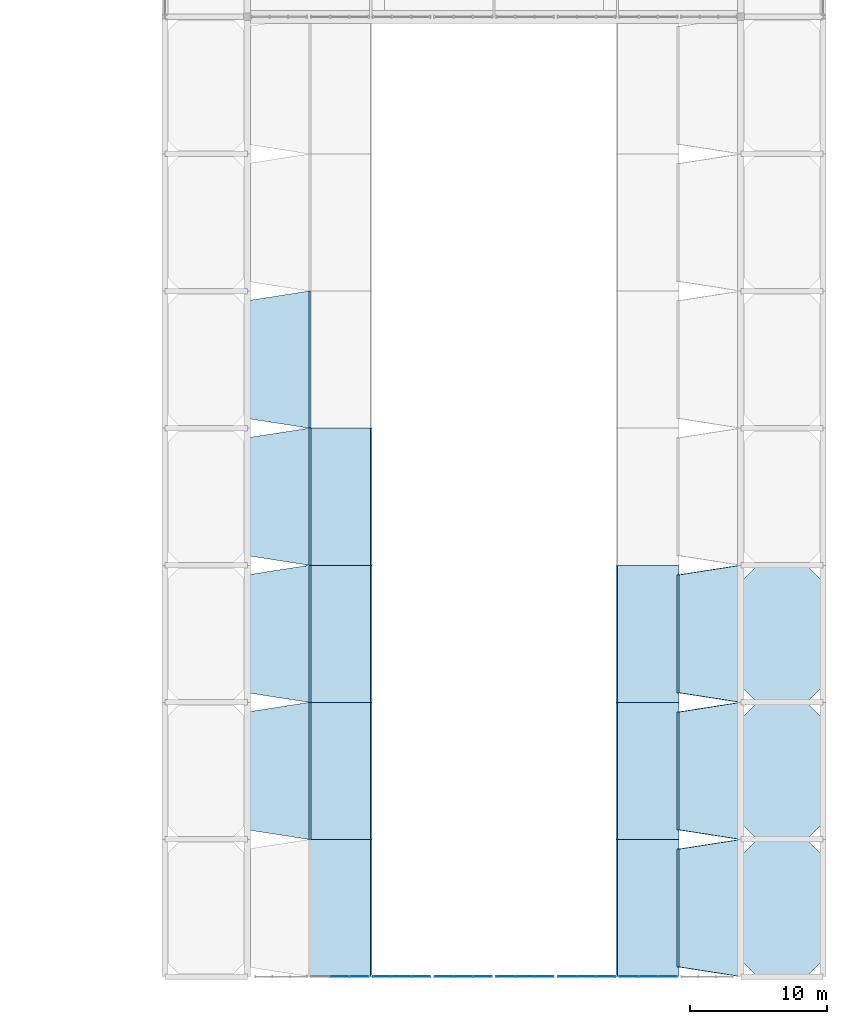
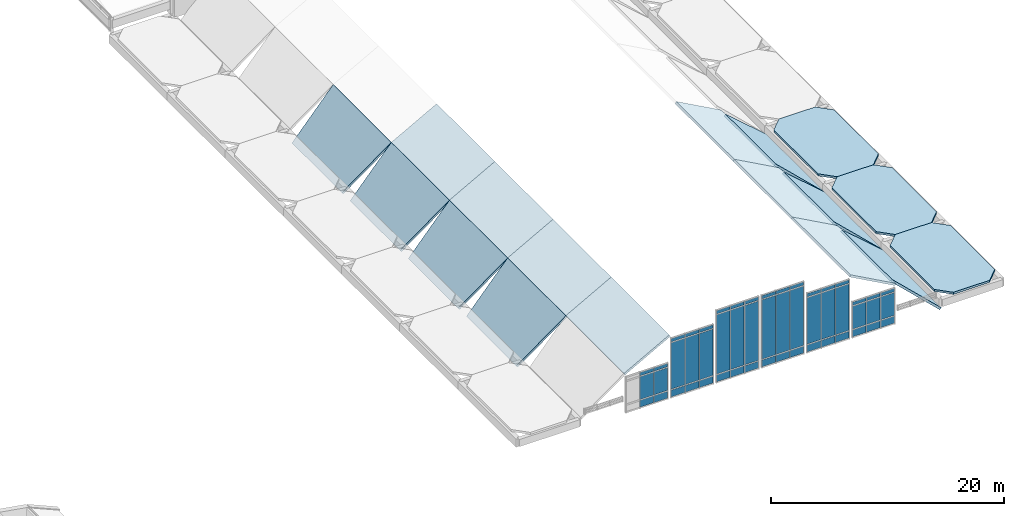
# One storey, part 71 of 82: 51 plates, 17 slabs, 6 elements without a shape of their own.
"""IFC4 building model written with IfcOpenShell, lengths in metres."""

from ifc_helpers import new_model, si_unit, direction, frame, origin, origin_2d, place, context, subcontext, project, spatial, polyline, rectangle, outline, extrude, material, layer, layer_set, type_object, element, aggregate, save


model = new_model("IFC4")

# Units and contexts
model_context = context("Model", 3, precision=1e-05, world=origin(), true_north=direction((0.0, 1.0)))
body_context = subcontext(model_context, "Body", "Model", "MODEL_VIEW")
ifc_project = project(units=[si_unit("LENGTHUNIT", "METRE"), si_unit("AREAUNIT", "SQUARE_METRE"), si_unit("VOLUMEUNIT", "CUBIC_METRE"), si_unit("PLANEANGLEUNIT", "RADIAN"), si_unit("MASSUNIT", "GRAM", prefix="KILO")], contexts=[model_context])

# Site, building, storey
site_placement = place(None, origin())
site = spatial("IfcSite", under=ifc_project, at=site_placement, CompositionType="ELEMENT")
building_placement = place(site_placement, origin())
building = spatial("IfcBuilding", under=site, at=building_placement, Name="Mersad Railyard Sports Hall", CompositionType="ELEMENT")
storey_placement = place(building_placement, frame((0.0, 0.0, 13.199951171875)))
storey = spatial("IfcBuildingStorey", under=building, at=storey_placement, Name="L03", CompositionType="ELEMENT", Elevation=13.199951171875)

# Curtain wall, plates
ifc_material_1 = material(Name="Aluminium 6063-T6", Category="aluminium")
ifc_layer_1 = layer(ifc_material_1, 0.199951171875)
ifc_layer_set_1 = layer_set([ifc_layer_1], Name="Aluminium 6063-T6")
curtain_wall_type_1 = type_object("IfcCurtainWallType", Name="ARC-CW-CW42", PredefinedType="USERDEFINED", material=ifc_layer_set_1)
curtain_wall_1_placement = place(storey_placement, origin())
curtain_wall_1 = element("IfcCurtainWall", 1, at=curtain_wall_1_placement, inside=storey, type_object=curtain_wall_type_1, Name="Curtain wall CW42-0114", ObjectType="CURTAIN WALL", PredefinedType="USERDEFINED")
ifc_material_2 = material(Name="Solar-control glass", Category="glass")
ifc_layer_2 = layer(ifc_material_2, 0.028076171875)
ifc_layer_set_2 = layer_set([ifc_layer_2], Name="Solar-control glass")
plate_type = type_object("IfcPlateType", Name="ARC-CW-PNL01", PredefinedType="CURTAIN_PANEL", material=ifc_layer_set_2)
plate_1_placement = place(storey_placement, frame((145.14990234375, 3.5, -1.1650390625), z_axis=(0.0, 0.0, 1.0), x_axis=(-1.0, 0.0, 0.0)))
plate_1 = element("IfcPlate", 2, at=plate_1_placement, type_object=plate_type, Name="CW42 Glazed panel 1-1", PredefinedType="CURTAIN_PANEL", context=body_context, shape_type="SweptSolid", body=[
    extrude(rectangle(XDim=1.35595703125, YDim=0.028076171875, at=origin_2d()), origin(), (0.0, 0.0, 1.0), 0.719970703125),
])
plate_2_placement = place(storey_placement, frame((145.14990234375, 3.5, -0.35498046875), z_axis=(0.0, 0.0, 1.0), x_axis=(-1.0, 0.0, 0.0)))
plate_2 = element("IfcPlate", 3, at=plate_2_placement, type_object=plate_type, Name="CW42 Glazed panel 1-2", PredefinedType="CURTAIN_PANEL", context=body_context, shape_type="SweptSolid", body=[
    extrude(rectangle(XDim=1.35595703125, YDim=0.028076171875, at=origin_2d()), origin(), (0.0, 0.0, 1.0), 2.39208984375),
])
plate_3_placement = place(storey_placement, frame((145.14990234375, 3.5, 2.126953125), z_axis=(0.0, 0.0, 1.0), x_axis=(-1.0, 0.0, 0.0)))
plate_3 = element("IfcPlate", 4, at=plate_3_placement, type_object=plate_type, Name="CW42 Glazed panel 1-3", PredefinedType="CURTAIN_PANEL", context=body_context, shape_type="SweptSolid", body=[
    extrude(rectangle(XDim=1.35595703125, YDim=0.028076171875, at=origin_2d()), origin(), (0.0, 0.0, 1.0), 0.35009765625),
])
plate_4_placement = place(storey_placement, frame((143.75, 3.5, -1.1650390625), z_axis=(0.0, 0.0, 1.0), x_axis=(-1.0, 0.0, 0.0)))
plate_4 = element("IfcPlate", 5, at=plate_4_placement, type_object=plate_type, Name="CW42 Glazed panel 2-1", PredefinedType="CURTAIN_PANEL", context=body_context, shape_type="SweptSolid", body=[
    extrude(rectangle(XDim=1.35595703125, YDim=0.028076171875, at=origin_2d()), origin(), (0.0, 0.0, 1.0), 0.719970703125),
])
plate_5_placement = place(storey_placement, frame((143.75, 3.5, -0.35498046875), z_axis=(0.0, 0.0, 1.0), x_axis=(-1.0, 0.0, 0.0)))
plate_5 = element("IfcPlate", 6, at=plate_5_placement, type_object=plate_type, Name="CW42 Glazed panel 2-2", PredefinedType="CURTAIN_PANEL", context=body_context, shape_type="SweptSolid", body=[
    extrude(rectangle(XDim=1.35595703125, YDim=0.028076171875, at=origin_2d()), origin(), (0.0, 0.0, 1.0), 2.39208984375),
])
plate_6_placement = place(storey_placement, frame((143.75, 3.5, 2.126953125), z_axis=(0.0, 0.0, 1.0), x_axis=(-1.0, 0.0, 0.0)))
plate_6 = element("IfcPlate", 7, at=plate_6_placement, type_object=plate_type, Name="CW42 Glazed panel 2-3", PredefinedType="CURTAIN_PANEL", context=body_context, shape_type="SweptSolid", body=[
    extrude(rectangle(XDim=1.35595703125, YDim=0.028076171875, at=origin_2d()), origin(), (0.0, 0.0, 1.0), 0.35009765625),
])
aggregate(curtain_wall_1, [plate_1, plate_2, plate_3, plate_4, plate_5, plate_6])

ifc_layer_3 = layer(ifc_material_1, 0.199951171875)
ifc_layer_set_3 = layer_set([ifc_layer_3], Name="Aluminium 6063-T6")
curtain_wall_type_2 = type_object("IfcCurtainWallType", Name="ARC-CW-CW44", PredefinedType="USERDEFINED", material=ifc_layer_set_3)
curtain_wall_2_placement = place(storey_placement, origin())
curtain_wall_2 = element("IfcCurtainWall", 8, at=curtain_wall_2_placement, inside=storey, type_object=curtain_wall_type_2, Name="Curtain wall CW44-0116", ObjectType="CURTAIN WALL", PredefinedType="USERDEFINED")
plate_7_placement = place(storey_placement, frame((149.64990234375, 3.5, -1.1650390625), z_axis=(0.0, 0.0, 1.0), x_axis=(-1.0, 0.0, 0.0)))
plate_7 = element("IfcPlate", 9, at=plate_7_placement, type_object=plate_type, Name="CW44 Glazed panel 1-1", PredefinedType="CURTAIN_PANEL", context=body_context, shape_type="SweptSolid", body=[
    extrude(rectangle(XDim=1.35595703125, YDim=0.028076171875, at=origin_2d()), origin(), (0.0, 0.0, 1.0), 0.719970703125),
])
plate_8_placement = place(storey_placement, frame((149.64990234375, 3.5, -0.35498046875), z_axis=(0.0, 0.0, 1.0), x_axis=(-1.0, 0.0, 0.0)))
plate_8 = element("IfcPlate", 10, at=plate_8_placement, type_object=plate_type, Name="CW44 Glazed panel 1-2", PredefinedType="CURTAIN_PANEL", context=body_context, shape_type="SweptSolid", body=[
    extrude(rectangle(XDim=1.35595703125, YDim=0.028076171875, at=origin_2d()), origin(), (0.0, 0.0, 1.0), 4.866943359375),
])
plate_9_placement = place(storey_placement, frame((149.64990234375, 3.5, 4.60205078125), z_axis=(0.0, 0.0, 1.0), x_axis=(-1.0, 0.0, 0.0)))
plate_9 = element("IfcPlate", 11, at=plate_9_placement, type_object=plate_type, Name="CW44 Glazed panel 1-3", PredefinedType="CURTAIN_PANEL", context=body_context, shape_type="SweptSolid", body=[
    extrude(rectangle(XDim=1.35595703125, YDim=0.028076171875, at=origin_2d()), origin(), (0.0, 0.0, 1.0), 0.35009765625),
])
plate_10_placement = place(storey_placement, frame((148.25, 3.5, -1.1650390625), z_axis=(0.0, 0.0, 1.0), x_axis=(-1.0, 0.0, 0.0)))
plate_10 = element("IfcPlate", 12, at=plate_10_placement, type_object=plate_type, Name="CW44 Glazed panel 2-1", PredefinedType="CURTAIN_PANEL", context=body_context, shape_type="SweptSolid", body=[
    extrude(rectangle(XDim=1.35595703125, YDim=0.028076171875, at=origin_2d()), origin(), (0.0, 0.0, 1.0), 0.719970703125),
])
plate_11_placement = place(storey_placement, frame((148.25, 3.5, -0.35498046875), z_axis=(0.0, 0.0, 1.0), x_axis=(-1.0, 0.0, 0.0)))
plate_11 = element("IfcPlate", 13, at=plate_11_placement, type_object=plate_type, Name="CW44 Glazed panel 2-2", PredefinedType="CURTAIN_PANEL", context=body_context, shape_type="SweptSolid", body=[
    extrude(rectangle(XDim=1.35595703125, YDim=0.028076171875, at=origin_2d()), origin(), (0.0, 0.0, 1.0), 4.866943359375),
])
plate_12_placement = place(storey_placement, frame((148.25, 3.5, 4.60205078125), z_axis=(0.0, 0.0, 1.0), x_axis=(-1.0, 0.0, 0.0)))
plate_12 = element("IfcPlate", 14, at=plate_12_placement, type_object=plate_type, Name="CW44 Glazed panel 2-3", PredefinedType="CURTAIN_PANEL", context=body_context, shape_type="SweptSolid", body=[
    extrude(rectangle(XDim=1.35595703125, YDim=0.028076171875, at=origin_2d()), origin(), (0.0, 0.0, 1.0), 0.35009765625),
])
plate_13_placement = place(storey_placement, frame((146.85009765625, 3.5, -1.1650390625), z_axis=(0.0, 0.0, 1.0), x_axis=(-1.0, 0.0, 0.0)))
plate_13 = element("IfcPlate", 15, at=plate_13_placement, type_object=plate_type, Name="CW44 Glazed panel 3-1", PredefinedType="CURTAIN_PANEL", context=body_context, shape_type="SweptSolid", body=[
    extrude(rectangle(XDim=1.35595703125, YDim=0.028076171875, at=origin_2d()), origin(), (0.0, 0.0, 1.0), 0.719970703125),
])
plate_14_placement = place(storey_placement, frame((146.85009765625, 3.5, -0.35498046875), z_axis=(0.0, 0.0, 1.0), x_axis=(-1.0, 0.0, 0.0)))
plate_14 = element("IfcPlate", 16, at=plate_14_placement, type_object=plate_type, Name="CW44 Glazed panel 3-2", PredefinedType="CURTAIN_PANEL", context=body_context, shape_type="SweptSolid", body=[
    extrude(rectangle(XDim=1.35595703125, YDim=0.028076171875, at=origin_2d()), origin(), (0.0, 0.0, 1.0), 4.866943359375),
])
plate_15_placement = place(storey_placement, frame((146.85009765625, 3.5, 4.60205078125), z_axis=(0.0, 0.0, 1.0), x_axis=(-1.0, 0.0, 0.0)))
plate_15 = element("IfcPlate", 17, at=plate_15_placement, type_object=plate_type, Name="CW44 Glazed panel 3-3", PredefinedType="CURTAIN_PANEL", context=body_context, shape_type="SweptSolid", body=[
    extrude(rectangle(XDim=1.35595703125, YDim=0.028076171875, at=origin_2d()), origin(), (0.0, 0.0, 1.0), 0.35009765625),
])
aggregate(curtain_wall_2, [plate_7, plate_8, plate_9, plate_10, plate_11, plate_12, plate_13, plate_14, plate_15])

ifc_layer_4 = layer(ifc_material_1, 0.199951171875)
ifc_layer_set_4 = layer_set([ifc_layer_4], Name="Aluminium 6063-T6")
curtain_wall_type_3 = type_object("IfcCurtainWallType", Name="ARC-CW-CW46", PredefinedType="USERDEFINED", material=ifc_layer_set_4)
curtain_wall_3_placement = place(storey_placement, origin())
curtain_wall_3 = element("IfcCurtainWall", 18, at=curtain_wall_3_placement, inside=storey, type_object=curtain_wall_type_3, Name="Curtain wall CW46-0118", ObjectType="CURTAIN WALL", PredefinedType="USERDEFINED")
plate_16_placement = place(storey_placement, frame((154.14990234375, 3.5, -1.1650390625), z_axis=(0.0, 0.0, 1.0), x_axis=(-1.0, 0.0, 0.0)))
plate_16 = element("IfcPlate", 19, at=plate_16_placement, type_object=plate_type, Name="CW46 Glazed panel 1-1", PredefinedType="CURTAIN_PANEL", context=body_context, shape_type="SweptSolid", body=[
    extrude(rectangle(XDim=1.35595703125, YDim=0.028076171875, at=origin_2d()), origin(), (0.0, 0.0, 1.0), 0.719970703125),
])
plate_17_placement = place(storey_placement, frame((154.14990234375, 3.5, -0.35498046875), z_axis=(0.0, 0.0, 1.0), x_axis=(-1.0, 0.0, 0.0)))
plate_17 = element("IfcPlate", 20, at=plate_17_placement, type_object=plate_type, Name="CW46 Glazed panel 1-2", PredefinedType="CURTAIN_PANEL", context=body_context, shape_type="SweptSolid", body=[
    extrude(rectangle(XDim=1.35595703125, YDim=0.028076171875, at=origin_2d()), origin(), (0.0, 0.0, 1.0), 6.22509765625),
])
plate_18_placement = place(storey_placement, frame((154.14990234375, 3.5, 5.9599609375), z_axis=(0.0, 0.0, 1.0), x_axis=(-1.0, 0.0, 0.0)))
plate_18 = element("IfcPlate", 21, at=plate_18_placement, type_object=plate_type, Name="CW46 Glazed panel 1-3", PredefinedType="CURTAIN_PANEL", context=body_context, shape_type="SweptSolid", body=[
    extrude(rectangle(XDim=1.35595703125, YDim=0.028076171875, at=origin_2d()), origin(), (0.0, 0.0, 1.0), 0.35009765625),
])
plate_19_placement = place(storey_placement, frame((152.75, 3.5, -1.1650390625), z_axis=(0.0, 0.0, 1.0), x_axis=(-1.0, 0.0, 0.0)))
plate_19 = element("IfcPlate", 22, at=plate_19_placement, type_object=plate_type, Name="CW46 Glazed panel 2-1", PredefinedType="CURTAIN_PANEL", context=body_context, shape_type="SweptSolid", body=[
    extrude(rectangle(XDim=1.35595703125, YDim=0.028076171875, at=origin_2d()), origin(), (0.0, 0.0, 1.0), 0.719970703125),
])
plate_20_placement = place(storey_placement, frame((152.75, 3.5, -0.35498046875), z_axis=(0.0, 0.0, 1.0), x_axis=(-1.0, 0.0, 0.0)))
plate_20 = element("IfcPlate", 23, at=plate_20_placement, type_object=plate_type, Name="CW46 Glazed panel 2-2", PredefinedType="CURTAIN_PANEL", context=body_context, shape_type="SweptSolid", body=[
    extrude(rectangle(XDim=1.35595703125, YDim=0.028076171875, at=origin_2d()), origin(), (0.0, 0.0, 1.0), 6.22509765625),
])
plate_21_placement = place(storey_placement, frame((152.75, 3.5, 5.9599609375), z_axis=(0.0, 0.0, 1.0), x_axis=(-1.0, 0.0, 0.0)))
plate_21 = element("IfcPlate", 24, at=plate_21_placement, type_object=plate_type, Name="CW46 Glazed panel 2-3", PredefinedType="CURTAIN_PANEL", context=body_context, shape_type="SweptSolid", body=[
    extrude(rectangle(XDim=1.35595703125, YDim=0.028076171875, at=origin_2d()), origin(), (0.0, 0.0, 1.0), 0.35009765625),
])
plate_22_placement = place(storey_placement, frame((151.35009765625, 3.5, -1.1650390625), z_axis=(0.0, 0.0, 1.0), x_axis=(-1.0, 0.0, 0.0)))
plate_22 = element("IfcPlate", 25, at=plate_22_placement, type_object=plate_type, Name="CW46 Glazed panel 3-1", PredefinedType="CURTAIN_PANEL", context=body_context, shape_type="SweptSolid", body=[
    extrude(rectangle(XDim=1.35595703125, YDim=0.028076171875, at=origin_2d()), origin(), (0.0, 0.0, 1.0), 0.719970703125),
])
plate_23_placement = place(storey_placement, frame((151.35009765625, 3.5, -0.35498046875), z_axis=(0.0, 0.0, 1.0), x_axis=(-1.0, 0.0, 0.0)))
plate_23 = element("IfcPlate", 26, at=plate_23_placement, type_object=plate_type, Name="CW46 Glazed panel 3-2", PredefinedType="CURTAIN_PANEL", context=body_context, shape_type="SweptSolid", body=[
    extrude(rectangle(XDim=1.35595703125, YDim=0.028076171875, at=origin_2d()), origin(), (0.0, 0.0, 1.0), 6.22509765625),
])
plate_24_placement = place(storey_placement, frame((151.35009765625, 3.5, 5.9599609375), z_axis=(0.0, 0.0, 1.0), x_axis=(-1.0, 0.0, 0.0)))
plate_24 = element("IfcPlate", 27, at=plate_24_placement, type_object=plate_type, Name="CW46 Glazed panel 3-3", PredefinedType="CURTAIN_PANEL", context=body_context, shape_type="SweptSolid", body=[
    extrude(rectangle(XDim=1.35595703125, YDim=0.028076171875, at=origin_2d()), origin(), (0.0, 0.0, 1.0), 0.35009765625),
])
aggregate(curtain_wall_3, [plate_16, plate_17, plate_18, plate_19, plate_20, plate_21, plate_22, plate_23, plate_24])

curtain_wall_4_placement = place(storey_placement, origin())
curtain_wall_4 = element("IfcCurtainWall", 28, at=curtain_wall_4_placement, inside=storey, type_object=curtain_wall_type_3, Name="Curtain wall CW46-0120", ObjectType="CURTAIN WALL", PredefinedType="USERDEFINED")
plate_25_placement = place(storey_placement, frame((158.64990234375, 3.5, -1.1650390625), z_axis=(0.0, 0.0, 1.0), x_axis=(-1.0, 0.0, 0.0)))
plate_25 = element("IfcPlate", 29, at=plate_25_placement, type_object=plate_type, Name="CW46 Glazed panel 1-1", PredefinedType="CURTAIN_PANEL", context=body_context, shape_type="SweptSolid", body=[
    extrude(rectangle(XDim=1.35595703125, YDim=0.028076171875, at=origin_2d()), origin(), (0.0, 0.0, 1.0), 0.719970703125),
])
plate_26_placement = place(storey_placement, frame((158.64990234375, 3.5, -0.35498046875), z_axis=(0.0, 0.0, 1.0), x_axis=(-1.0, 0.0, 0.0)))
plate_26 = element("IfcPlate", 30, at=plate_26_placement, type_object=plate_type, Name="CW46 Glazed panel 1-2", PredefinedType="CURTAIN_PANEL", context=body_context, shape_type="SweptSolid", body=[
    extrude(rectangle(XDim=1.35595703125, YDim=0.028076171875, at=origin_2d()), origin(), (0.0, 0.0, 1.0), 6.22509765625),
])
plate_27_placement = place(storey_placement, frame((158.64990234375, 3.5, 5.9599609375), z_axis=(0.0, 0.0, 1.0), x_axis=(-1.0, 0.0, 0.0)))
plate_27 = element("IfcPlate", 31, at=plate_27_placement, type_object=plate_type, Name="CW46 Glazed panel 1-3", PredefinedType="CURTAIN_PANEL", context=body_context, shape_type="SweptSolid", body=[
    extrude(rectangle(XDim=1.35595703125, YDim=0.028076171875, at=origin_2d()), origin(), (0.0, 0.0, 1.0), 0.35009765625),
])
plate_28_placement = place(storey_placement, frame((157.25, 3.5, -1.1650390625), z_axis=(0.0, 0.0, 1.0), x_axis=(-1.0, 0.0, 0.0)))
plate_28 = element("IfcPlate", 32, at=plate_28_placement, type_object=plate_type, Name="CW46 Glazed panel 2-1", PredefinedType="CURTAIN_PANEL", context=body_context, shape_type="SweptSolid", body=[
    extrude(rectangle(XDim=1.35595703125, YDim=0.028076171875, at=origin_2d()), origin(), (0.0, 0.0, 1.0), 0.719970703125),
])
plate_29_placement = place(storey_placement, frame((157.25, 3.5, -0.35498046875), z_axis=(0.0, 0.0, 1.0), x_axis=(-1.0, 0.0, 0.0)))
plate_29 = element("IfcPlate", 33, at=plate_29_placement, type_object=plate_type, Name="CW46 Glazed panel 2-2", PredefinedType="CURTAIN_PANEL", context=body_context, shape_type="SweptSolid", body=[
    extrude(rectangle(XDim=1.35595703125, YDim=0.028076171875, at=origin_2d()), origin(), (0.0, 0.0, 1.0), 6.22509765625),
])
plate_30_placement = place(storey_placement, frame((157.25, 3.5, 5.9599609375), z_axis=(0.0, 0.0, 1.0), x_axis=(-1.0, 0.0, 0.0)))
plate_30 = element("IfcPlate", 34, at=plate_30_placement, type_object=plate_type, Name="CW46 Glazed panel 2-3", PredefinedType="CURTAIN_PANEL", context=body_context, shape_type="SweptSolid", body=[
    extrude(rectangle(XDim=1.35595703125, YDim=0.028076171875, at=origin_2d()), origin(), (0.0, 0.0, 1.0), 0.35009765625),
])
plate_31_placement = place(storey_placement, frame((155.85009765625, 3.5, -1.1650390625), z_axis=(0.0, 0.0, 1.0), x_axis=(-1.0, 0.0, 0.0)))
plate_31 = element("IfcPlate", 35, at=plate_31_placement, type_object=plate_type, Name="CW46 Glazed panel 3-1", PredefinedType="CURTAIN_PANEL", context=body_context, shape_type="SweptSolid", body=[
    extrude(rectangle(XDim=1.35595703125, YDim=0.028076171875, at=origin_2d()), origin(), (0.0, 0.0, 1.0), 0.719970703125),
])
plate_32_placement = place(storey_placement, frame((155.85009765625, 3.5, -0.35498046875), z_axis=(0.0, 0.0, 1.0), x_axis=(-1.0, 0.0, 0.0)))
plate_32 = element("IfcPlate", 36, at=plate_32_placement, type_object=plate_type, Name="CW46 Glazed panel 3-2", PredefinedType="CURTAIN_PANEL", context=body_context, shape_type="SweptSolid", body=[
    extrude(rectangle(XDim=1.35595703125, YDim=0.028076171875, at=origin_2d()), origin(), (0.0, 0.0, 1.0), 6.22509765625),
])
plate_33_placement = place(storey_placement, frame((155.85009765625, 3.5, 5.9599609375), z_axis=(0.0, 0.0, 1.0), x_axis=(-1.0, 0.0, 0.0)))
plate_33 = element("IfcPlate", 37, at=plate_33_placement, type_object=plate_type, Name="CW46 Glazed panel 3-3", PredefinedType="CURTAIN_PANEL", context=body_context, shape_type="SweptSolid", body=[
    extrude(rectangle(XDim=1.35595703125, YDim=0.028076171875, at=origin_2d()), origin(), (0.0, 0.0, 1.0), 0.35009765625),
])
aggregate(curtain_wall_4, [plate_25, plate_26, plate_27, plate_28, plate_29, plate_30, plate_31, plate_32, plate_33])

curtain_wall_5_placement = place(storey_placement, origin())
curtain_wall_5 = element("IfcCurtainWall", 38, at=curtain_wall_5_placement, inside=storey, type_object=curtain_wall_type_2, Name="Curtain wall CW44-0122", ObjectType="CURTAIN WALL", PredefinedType="USERDEFINED")
plate_34_placement = place(storey_placement, frame((163.14990234375, 3.5, -1.1650390625), z_axis=(0.0, 0.0, 1.0), x_axis=(-1.0, 0.0, 0.0)))
plate_34 = element("IfcPlate", 39, at=plate_34_placement, type_object=plate_type, Name="CW44 Glazed panel 1-1", PredefinedType="CURTAIN_PANEL", context=body_context, shape_type="SweptSolid", body=[
    extrude(rectangle(XDim=1.35595703125, YDim=0.028076171875, at=origin_2d()), origin(), (0.0, 0.0, 1.0), 0.719970703125),
])
plate_35_placement = place(storey_placement, frame((163.14990234375, 3.5, -0.35498046875), z_axis=(0.0, 0.0, 1.0), x_axis=(-1.0, 0.0, 0.0)))
plate_35 = element("IfcPlate", 40, at=plate_35_placement, type_object=plate_type, Name="CW44 Glazed panel 1-2", PredefinedType="CURTAIN_PANEL", context=body_context, shape_type="SweptSolid", body=[
    extrude(rectangle(XDim=1.35595703125, YDim=0.028076171875, at=origin_2d()), origin(), (0.0, 0.0, 1.0), 4.866943359375),
])
plate_36_placement = place(storey_placement, frame((163.14990234375, 3.5, 4.60205078125), z_axis=(0.0, 0.0, 1.0), x_axis=(-1.0, 0.0, 0.0)))
plate_36 = element("IfcPlate", 41, at=plate_36_placement, type_object=plate_type, Name="CW44 Glazed panel 1-3", PredefinedType="CURTAIN_PANEL", context=body_context, shape_type="SweptSolid", body=[
    extrude(rectangle(XDim=1.35595703125, YDim=0.028076171875, at=origin_2d()), origin(), (0.0, 0.0, 1.0), 0.35009765625),
])
plate_37_placement = place(storey_placement, frame((161.75, 3.5, -1.1650390625), z_axis=(0.0, 0.0, 1.0), x_axis=(-1.0, 0.0, 0.0)))
plate_37 = element("IfcPlate", 42, at=plate_37_placement, type_object=plate_type, Name="CW44 Glazed panel 2-1", PredefinedType="CURTAIN_PANEL", context=body_context, shape_type="SweptSolid", body=[
    extrude(rectangle(XDim=1.35595703125, YDim=0.028076171875, at=origin_2d()), origin(), (0.0, 0.0, 1.0), 0.719970703125),
])
plate_38_placement = place(storey_placement, frame((161.75, 3.5, -0.35498046875), z_axis=(0.0, 0.0, 1.0), x_axis=(-1.0, 0.0, 0.0)))
plate_38 = element("IfcPlate", 43, at=plate_38_placement, type_object=plate_type, Name="CW44 Glazed panel 2-2", PredefinedType="CURTAIN_PANEL", context=body_context, shape_type="SweptSolid", body=[
    extrude(rectangle(XDim=1.35595703125, YDim=0.028076171875, at=origin_2d()), origin(), (0.0, 0.0, 1.0), 4.866943359375),
])
plate_39_placement = place(storey_placement, frame((161.75, 3.5, 4.60205078125), z_axis=(0.0, 0.0, 1.0), x_axis=(-1.0, 0.0, 0.0)))
plate_39 = element("IfcPlate", 44, at=plate_39_placement, type_object=plate_type, Name="CW44 Glazed panel 2-3", PredefinedType="CURTAIN_PANEL", context=body_context, shape_type="SweptSolid", body=[
    extrude(rectangle(XDim=1.35595703125, YDim=0.028076171875, at=origin_2d()), origin(), (0.0, 0.0, 1.0), 0.35009765625),
])
plate_40_placement = place(storey_placement, frame((160.35009765625, 3.5, -1.1650390625), z_axis=(0.0, 0.0, 1.0), x_axis=(-1.0, 0.0, 0.0)))
plate_40 = element("IfcPlate", 45, at=plate_40_placement, type_object=plate_type, Name="CW44 Glazed panel 3-1", PredefinedType="CURTAIN_PANEL", context=body_context, shape_type="SweptSolid", body=[
    extrude(rectangle(XDim=1.35595703125, YDim=0.028076171875, at=origin_2d()), origin(), (0.0, 0.0, 1.0), 0.719970703125),
])
plate_41_placement = place(storey_placement, frame((160.35009765625, 3.5, -0.35498046875), z_axis=(0.0, 0.0, 1.0), x_axis=(-1.0, 0.0, 0.0)))
plate_41 = element("IfcPlate", 46, at=plate_41_placement, type_object=plate_type, Name="CW44 Glazed panel 3-2", PredefinedType="CURTAIN_PANEL", context=body_context, shape_type="SweptSolid", body=[
    extrude(rectangle(XDim=1.35595703125, YDim=0.028076171875, at=origin_2d()), origin(), (0.0, 0.0, 1.0), 4.866943359375),
])
plate_42_placement = place(storey_placement, frame((160.35009765625, 3.5, 4.60205078125), z_axis=(0.0, 0.0, 1.0), x_axis=(-1.0, 0.0, 0.0)))
plate_42 = element("IfcPlate", 47, at=plate_42_placement, type_object=plate_type, Name="CW44 Glazed panel 3-3", PredefinedType="CURTAIN_PANEL", context=body_context, shape_type="SweptSolid", body=[
    extrude(rectangle(XDim=1.35595703125, YDim=0.028076171875, at=origin_2d()), origin(), (0.0, 0.0, 1.0), 0.35009765625),
])
aggregate(curtain_wall_5, [plate_34, plate_35, plate_36, plate_37, plate_38, plate_39, plate_40, plate_41, plate_42])

curtain_wall_6_placement = place(storey_placement, origin())
curtain_wall_6 = element("IfcCurtainWall", 48, at=curtain_wall_6_placement, inside=storey, type_object=curtain_wall_type_1, Name="Curtain wall CW42-0124", ObjectType="CURTAIN WALL", PredefinedType="USERDEFINED")
plate_43_placement = place(storey_placement, frame((167.64990234375, 3.5, -1.1650390625), z_axis=(0.0, 0.0, 1.0), x_axis=(-1.0, 0.0, 0.0)))
plate_43 = element("IfcPlate", 49, at=plate_43_placement, type_object=plate_type, Name="CW42 Glazed panel 1-1", PredefinedType="CURTAIN_PANEL", context=body_context, shape_type="SweptSolid", body=[
    extrude(rectangle(XDim=1.35595703125, YDim=0.028076171875, at=origin_2d()), origin(), (0.0, 0.0, 1.0), 0.719970703125),
])
plate_44_placement = place(storey_placement, frame((167.64990234375, 3.5, -0.35498046875), z_axis=(0.0, 0.0, 1.0), x_axis=(-1.0, 0.0, 0.0)))
plate_44 = element("IfcPlate", 50, at=plate_44_placement, type_object=plate_type, Name="CW42 Glazed panel 1-2", PredefinedType="CURTAIN_PANEL", context=body_context, shape_type="SweptSolid", body=[
    extrude(rectangle(XDim=1.35595703125, YDim=0.028076171875, at=origin_2d()), origin(), (0.0, 0.0, 1.0), 2.39208984375),
])
plate_45_placement = place(storey_placement, frame((167.64990234375, 3.5, 2.126953125), z_axis=(0.0, 0.0, 1.0), x_axis=(-1.0, 0.0, 0.0)))
plate_45 = element("IfcPlate", 51, at=plate_45_placement, type_object=plate_type, Name="CW42 Glazed panel 1-3", PredefinedType="CURTAIN_PANEL", context=body_context, shape_type="SweptSolid", body=[
    extrude(rectangle(XDim=1.35595703125, YDim=0.028076171875, at=origin_2d()), origin(), (0.0, 0.0, 1.0), 0.35009765625),
])
plate_46_placement = place(storey_placement, frame((166.25, 3.5, -1.1650390625), z_axis=(0.0, 0.0, 1.0), x_axis=(-1.0, 0.0, 0.0)))
plate_46 = element("IfcPlate", 52, at=plate_46_placement, type_object=plate_type, Name="CW42 Glazed panel 2-1", PredefinedType="CURTAIN_PANEL", context=body_context, shape_type="SweptSolid", body=[
    extrude(rectangle(XDim=1.35595703125, YDim=0.028076171875, at=origin_2d()), origin(), (0.0, 0.0, 1.0), 0.719970703125),
])
plate_47_placement = place(storey_placement, frame((166.25, 3.5, -0.35498046875), z_axis=(0.0, 0.0, 1.0), x_axis=(-1.0, 0.0, 0.0)))
plate_47 = element("IfcPlate", 53, at=plate_47_placement, type_object=plate_type, Name="CW42 Glazed panel 2-2", PredefinedType="CURTAIN_PANEL", context=body_context, shape_type="SweptSolid", body=[
    extrude(rectangle(XDim=1.35595703125, YDim=0.028076171875, at=origin_2d()), origin(), (0.0, 0.0, 1.0), 2.39208984375),
])
plate_48_placement = place(storey_placement, frame((166.25, 3.5, 2.126953125), z_axis=(0.0, 0.0, 1.0), x_axis=(-1.0, 0.0, 0.0)))
plate_48 = element("IfcPlate", 54, at=plate_48_placement, type_object=plate_type, Name="CW42 Glazed panel 2-3", PredefinedType="CURTAIN_PANEL", context=body_context, shape_type="SweptSolid", body=[
    extrude(rectangle(XDim=1.35595703125, YDim=0.028076171875, at=origin_2d()), origin(), (0.0, 0.0, 1.0), 0.35009765625),
])
plate_49_placement = place(storey_placement, frame((164.85009765625, 3.5, -1.1650390625), z_axis=(0.0, 0.0, 1.0), x_axis=(-1.0, 0.0, 0.0)))
plate_49 = element("IfcPlate", 55, at=plate_49_placement, type_object=plate_type, Name="CW42 Glazed panel 3-1", PredefinedType="CURTAIN_PANEL", context=body_context, shape_type="SweptSolid", body=[
    extrude(rectangle(XDim=1.35595703125, YDim=0.028076171875, at=origin_2d()), origin(), (0.0, 0.0, 1.0), 0.719970703125),
])
plate_50_placement = place(storey_placement, frame((164.85009765625, 3.5, -0.35498046875), z_axis=(0.0, 0.0, 1.0), x_axis=(-1.0, 0.0, 0.0)))
plate_50 = element("IfcPlate", 56, at=plate_50_placement, type_object=plate_type, Name="CW42 Glazed panel 3-2", PredefinedType="CURTAIN_PANEL", context=body_context, shape_type="SweptSolid", body=[
    extrude(rectangle(XDim=1.35595703125, YDim=0.028076171875, at=origin_2d()), origin(), (0.0, 0.0, 1.0), 2.39208984375),
])
plate_51_placement = place(storey_placement, frame((164.85009765625, 3.5, 2.126953125), z_axis=(0.0, 0.0, 1.0), x_axis=(-1.0, 0.0, 0.0)))
plate_51 = element("IfcPlate", 57, at=plate_51_placement, type_object=plate_type, Name="CW42 Glazed panel 3-3", PredefinedType="CURTAIN_PANEL", context=body_context, shape_type="SweptSolid", body=[
    extrude(rectangle(XDim=1.35595703125, YDim=0.028076171875, at=origin_2d()), origin(), (0.0, 0.0, 1.0), 0.35009765625),
])
aggregate(curtain_wall_6, [plate_43, plate_44, plate_45, plate_46, plate_47, plate_48, plate_49, plate_50, plate_51])

# Slabs
ifc_material_3 = material(Name="Architectural concrete C50/60", Category="concrete")
ifc_layer_5 = layer(ifc_material_3, 0.219970703125)
ifc_layer_set_5 = layer_set([ifc_layer_5], Name="Architectural concrete C50/60")
slab_type = type_object("IfcSlabType", Name="STR-SL-RF01", PredefinedType="ROOF", material=ifc_layer_set_5)
slab_1_placement = place(storey_placement, frame((0.0, 0.0, -0.219970703125)))
element("IfcSlab", 58, at=slab_1_placement, inside=storey, type_object=slab_type, Name="Slab RS01-0100", PredefinedType="ROOF", context=body_context, shape_type="SweptSolid", body=[
    extrude(outline(polyline([(174.199951171875, 3.5), (177.800048828125, 3.5), (179.0, 4.699951171875), (179.0, 12.300048828125), (177.800048828125, 13.5), (174.199951171875, 13.5), (173.0, 12.300048828125), (173.0, 4.699951171875), (174.199951171875, 3.5)])), origin(), (0.0, 0.0, 1.0), 0.219970703125),
])
slab_2_placement = place(storey_placement, frame((0.0, 0.0, -0.219970703125)))
element("IfcSlab", 59, at=slab_2_placement, inside=storey, type_object=slab_type, Name="Slab RS01-0102", PredefinedType="ROOF", context=body_context, shape_type="SweptSolid", body=[
    extrude(outline(polyline([(174.199951171875, 13.5), (177.800048828125, 13.5), (179.0, 14.699951171875), (179.0, 22.300048828125), (177.800048828125, 23.5), (174.199951171875, 23.5), (173.0, 22.300048828125), (173.0, 14.699951171875), (174.199951171875, 13.5)])), origin(), (0.0, 0.0, 1.0), 0.219970703125),
])
slab_3_placement = place(storey_placement, frame((0.0, 0.0, -0.219970703125)))
element("IfcSlab", 60, at=slab_3_placement, inside=storey, type_object=slab_type, Name="Slab RS01-0104", PredefinedType="ROOF", context=body_context, shape_type="SweptSolid", body=[
    extrude(outline(polyline([(174.199951171875, 23.5), (177.800048828125, 23.5), (179.0, 24.699951171875), (179.0, 32.300048828125), (177.800048828125, 33.5), (174.199951171875, 33.5), (173.0, 32.300048828125), (173.0, 24.699951171875), (174.199951171875, 23.5)])), origin(), (0.0, 0.0, 1.0), 0.219970703125),
])
for number, where, z_axis, x_axis, name in (
    (61, (141.5, 3.5, 2.932373046875), (-0.48189685093, 0.0, 0.876227952683), (0.876227952683, 0.0, 0.48189685093), "Barrel vault shell slab bay 1 seg 2"),
    (62, (164.0, 3.5, 5.4072265625), (0.48189685093, 0.0, 0.876227952683), (0.876227952683, 0.0, -0.48189685093), "Barrel vault shell slab bay 1 seg 7"),
):
    element("IfcSlab", number, at=place(storey_placement, frame(where, z_axis=z_axis, x_axis=x_axis)), inside=storey, type_object=slab_type, Name=name, PredefinedType="ROOF", context=body_context, shape_type="SweptSolid", body=[
        extrude(outline(polyline([(0.0, 0.0), (5.135649902768044, 0.0), (5.135649902768044, 10.0), (0.0, 10.0), (0.0, 0.0)])), origin(), (0.0, 0.0, -1.0), 0.219970703125),
    ])
for number, where, z_axis, x_axis, name in (
    (63, (168.5, 4.199951171875, 2.932373046875), (0.676375800425, 0.0, 0.736556702909), (0.731769859569, -0.113822926833, -0.671980069611), "Barrel vault shell slab bay 1 seg 8"),
    (64, (137.0, 14.199951171875, -1.199951171875), (-0.676375800425, 0.0, 0.736556702909), (0.731769859569, -0.113822926833, 0.671980069611), "Barrel vault shell slab bay 2 seg 1"),
):
    element("IfcSlab", number, at=place(storey_placement, frame(where, z_axis=z_axis, x_axis=x_axis)), inside=storey, type_object=slab_type, Name=name, PredefinedType="ROOF", context=body_context, shape_type="SweptSolid", body=[
        extrude(outline(polyline([(0.0, 0.0), (6.1494743752516765, -5.551115123125783e-17), (5.0112451069227815, 9.935010525043218), (-0.9788882862830478, 8.544206073124325), (0.0, 0.0)])), origin(), (0.0, 0.0, -1.0), 0.219970703125),
    ])
for number, where, z_axis, x_axis, name in (
    (65, (141.5, 13.5, 2.932373046875), (-0.48189685093, 0.0, 0.876227952683), (0.876227952683, 0.0, 0.48189685093), "Barrel vault shell slab bay 2 seg 2"),
    (66, (164.0, 13.5, 5.4072265625), (0.48189685093, 0.0, 0.876227952683), (0.876227952683, 0.0, -0.48189685093), "Barrel vault shell slab bay 2 seg 7"),
):
    element("IfcSlab", number, at=place(storey_placement, frame(where, z_axis=z_axis, x_axis=x_axis)), inside=storey, type_object=slab_type, Name=name, PredefinedType="ROOF", context=body_context, shape_type="SweptSolid", body=[
        extrude(outline(polyline([(0.0, 0.0), (5.135649902768044, 0.0), (5.135649902768044, 10.0), (0.0, 10.0), (0.0, 0.0)])), origin(), (0.0, 0.0, -1.0), 0.219970703125),
    ])
for number, where, z_axis, x_axis, name in (
    (67, (168.5, 14.199951171875, 2.932373046875), (0.676375800425, 0.0, 0.736556702909), (0.731769859569, -0.113822926833, -0.671980069611), "Barrel vault shell slab bay 2 seg 8"),
    (68, (137.0, 24.199951171875, -1.199951171875), (-0.676375800425, 0.0, 0.736556702909), (0.731769859569, -0.113822926833, 0.671980069611), "Barrel vault shell slab bay 3 seg 1"),
):
    element("IfcSlab", number, at=place(storey_placement, frame(where, z_axis=z_axis, x_axis=x_axis)), inside=storey, type_object=slab_type, Name=name, PredefinedType="ROOF", context=body_context, shape_type="SweptSolid", body=[
        extrude(outline(polyline([(0.0, 0.0), (6.1494743752516765, -5.551115123125783e-17), (5.0112451069227815, 9.935010525043218), (-0.9788882862830478, 8.544206073124325), (0.0, 0.0)])), origin(), (0.0, 0.0, -1.0), 0.219970703125),
    ])
for number, where, z_axis, x_axis, name in (
    (69, (141.5, 23.5, 2.932373046875), (-0.48189685093, 0.0, 0.876227952683), (0.876227952683, 0.0, 0.48189685093), "Barrel vault shell slab bay 3 seg 2"),
    (70, (164.0, 23.5, 5.4072265625), (0.48189685093, 0.0, 0.876227952683), (0.876227952683, 0.0, -0.48189685093), "Barrel vault shell slab bay 3 seg 7"),
):
    element("IfcSlab", number, at=place(storey_placement, frame(where, z_axis=z_axis, x_axis=x_axis)), inside=storey, type_object=slab_type, Name=name, PredefinedType="ROOF", context=body_context, shape_type="SweptSolid", body=[
        extrude(outline(polyline([(0.0, 0.0), (5.135649902768044, 0.0), (5.135649902768044, 10.0), (0.0, 10.0), (0.0, 0.0)])), origin(), (0.0, 0.0, -1.0), 0.219970703125),
    ])
for number, where, z_axis, x_axis, name in (
    (71, (168.5, 24.199951171875, 2.932373046875), (0.676375800425, 0.0, 0.736556702909), (0.731769859569, -0.113822926833, -0.671980069611), "Barrel vault shell slab bay 3 seg 8"),
    (72, (137.0, 34.199951171875, -1.199951171875), (-0.676375800425, 0.0, 0.736556702909), (0.731769859569, -0.113822926833, 0.671980069611), "Barrel vault shell slab bay 4 seg 1"),
):
    element("IfcSlab", number, at=place(storey_placement, frame(where, z_axis=z_axis, x_axis=x_axis)), inside=storey, type_object=slab_type, Name=name, PredefinedType="ROOF", context=body_context, shape_type="SweptSolid", body=[
        extrude(outline(polyline([(0.0, 0.0), (6.1494743752516765, -5.551115123125783e-17), (5.0112451069227815, 9.935010525043218), (-0.9788882862830478, 8.544206073124325), (0.0, 0.0)])), origin(), (0.0, 0.0, -1.0), 0.219970703125),
    ])
slab_4_placement = place(storey_placement, frame((141.5, 33.5, 2.932373046875), z_axis=(-0.48189685093, 0.0, 0.876227952683), x_axis=(0.876227952683, 0.0, 0.48189685093)))
element("IfcSlab", 73, at=slab_4_placement, inside=storey, type_object=slab_type, Name="Barrel vault shell slab bay 4 seg 2", PredefinedType="ROOF", context=body_context, shape_type="SweptSolid", body=[
    extrude(outline(polyline([(0.0, 0.0), (5.135649902768044, 0.0), (5.135649902768044, 10.0), (0.0, 10.0), (0.0, 0.0)])), origin(), (0.0, 0.0, -1.0), 0.219970703125),
])
slab_5_placement = place(storey_placement, frame((137.0, 44.199951171875, -1.199951171875), z_axis=(-0.676375800425, 0.0, 0.736556702909), x_axis=(0.731769859569, -0.113822926833, 0.671980069611)))
element("IfcSlab", 74, at=slab_5_placement, inside=storey, type_object=slab_type, Name="Barrel vault shell slab bay 5 seg 1", PredefinedType="ROOF", context=body_context, shape_type="SweptSolid", body=[
    extrude(outline(polyline([(0.0, 0.0), (6.1494743752516765, -5.551115123125783e-17), (5.0112451069227815, 9.935010525043218), (-0.9788882862830478, 8.544206073124325), (0.0, 0.0)])), origin(), (0.0, 0.0, -1.0), 0.219970703125),
])

save(model, "model.ifc")
